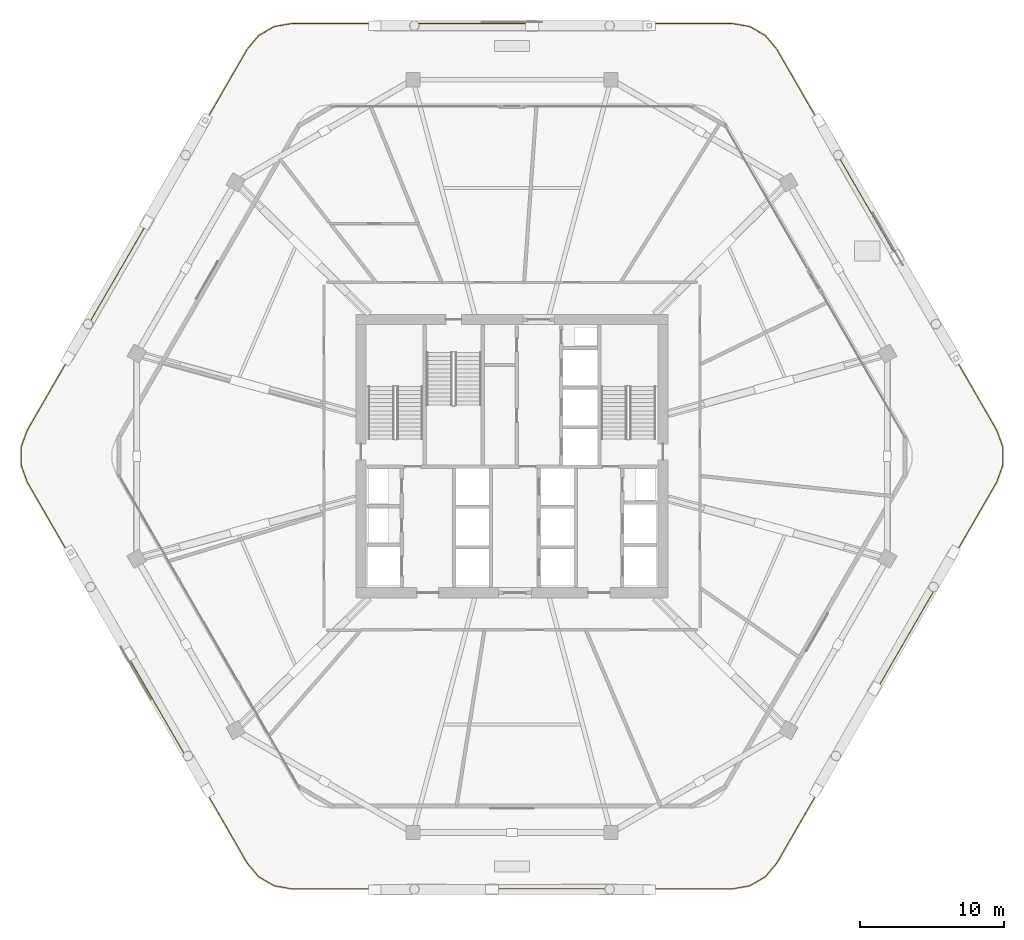
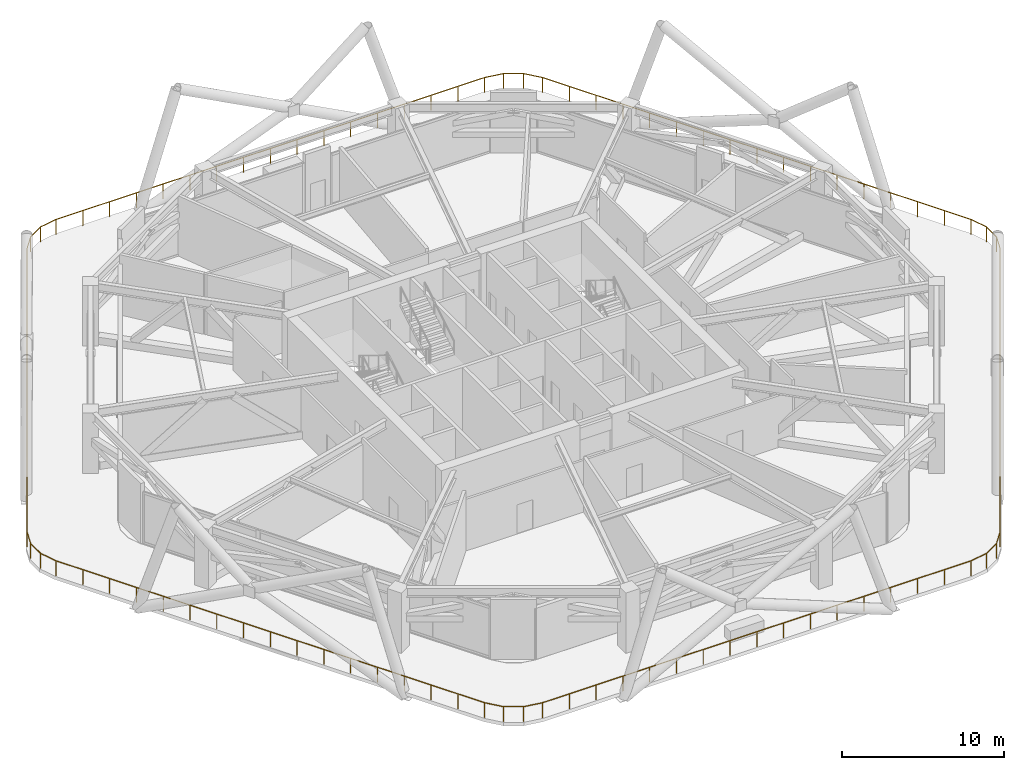
# One storey, part 17 of 20: 1 railing.
"""IFC4 building model written with IfcOpenShell, lengths in metres."""

import ifcopenshell
import ifcopenshell.guid

model = None  # the IFC model being written
_history = None  # IfcOwnerHistory: only IFC2X3 demands one
_inside = {}  # id of a spatial element -> (the spatial element, [elements in it])
_under = {}  # id of a project, library or spatial element -> (it, [spatial elements below it])
_declared = {}  # id of a project -> (the project, [libraries it declares])
_typed = {}  # id of a type object -> (the type object, [elements of that type])
_made_of = {}  # id of a material, layer set ... -> (it, [elements and type objects made of it])


def new_model(schema):
    """Start an empty IFC model of exactly this schema.

    Asked for "IFC4X3", IfcOpenShell would pick the latest addendum, in which some entities
    have other attributes; the version numbers below select the first issue.
    IFC2X3 requires an IfcOwnerHistory on every rooted entity: one is made here for all.
    """
    global model, _history
    if schema == "IFC4X3":
        model = ifcopenshell.file(schema_version=(4, 3, 0, 0))
    else:
        model = ifcopenshell.file(schema=schema)
    _inside.clear()
    _under.clear()
    _declared.clear()
    _typed.clear()
    _made_of.clear()
    _history = None
    if model.schema == "IFC2X3":
        org = make("IfcOrganization", Name="unknown")
        user = make(
            "IfcPersonAndOrganization",
            ThePerson=make("IfcPerson", FamilyName="unknown"),
            TheOrganization=org,
        )
        app = make(
            "IfcApplication",
            ApplicationDeveloper=org,
            Version="unknown",
            ApplicationFullName="unknown",
            ApplicationIdentifier="unknown",
        )
        _history = make(
            "IfcOwnerHistory",
            OwningUser=user,
            OwningApplication=app,
            ChangeAction="ADDED",
            CreationDate=0,
        )
    return model


def make(cls, **values):
    """One entity of the class cls with the attributes given. An attribute that is None is left unset."""
    return model.create_entity(
        cls, **{name: value for name, value in values.items() if value is not None}
    )


def rooted(cls, **values):
    """An entity with a GlobalId (a new one), such as an element, a storey or a relation."""
    return make(cls, GlobalId=ifcopenshell.guid.new(), OwnerHistory=_history, **values)


def si_unit(unit_type, name, prefix=None):
    """IfcSIUnit, for example si_unit("LENGTHUNIT", "METRE", prefix="MILLI")."""
    return make("IfcSIUnit", UnitType=unit_type, Prefix=prefix, Name=name)


def assignment(units):
    """IfcUnitAssignment: the units of a project."""
    return None if units is None else make("IfcUnitAssignment", Units=units)


def point(xyz):
    """IfcCartesianPoint."""
    return None if xyz is None else make("IfcCartesianPoint", Coordinates=xyz)


def direction(xyz):
    """IfcDirection."""
    return None if xyz is None else make("IfcDirection", DirectionRatios=xyz)


def frame(location, z_axis=None, x_axis=None):
    """IfcAxis2Placement3D, a coordinate frame: its origin and axes. An axis left out is left unset."""
    return make(
        "IfcAxis2Placement3D",
        Location=point(location),
        Axis=direction(z_axis),
        RefDirection=direction(x_axis),
    )


def frame_2d(location, x_axis=None):
    """IfcAxis2Placement2D, a coordinate frame in the plane: its origin and x axis."""
    return make(
        "IfcAxis2Placement2D", Location=point(location), RefDirection=direction(x_axis)
    )


def origin():
    """The frame at (0, 0, 0) with its axes left unset."""
    return frame((0.0, 0.0, 0.0))


def origin_2d():
    """The frame at (0, 0) in the plane with its x axis left unset."""
    return frame_2d((0.0, 0.0))


def place(relative_to, where):
    """IfcLocalPlacement: puts the frame where relative to a parent placement (None: the world)."""
    return make(
        "IfcLocalPlacement", PlacementRelTo=relative_to, RelativePlacement=where
    )


def context(
    kind, dimensions, precision=None, world=None, true_north=None, identifier=None
):
    """IfcGeometricRepresentationContext, for example the 3D "Model" context."""
    return make(
        "IfcGeometricRepresentationContext",
        ContextIdentifier=identifier,
        ContextType=kind,
        CoordinateSpaceDimension=dimensions,
        Precision=precision,
        WorldCoordinateSystem=world,
        TrueNorth=true_north,
    )


def subcontext(parent, identifier, kind, view, scale=None):
    """IfcGeometricRepresentationSubContext, for example "Body" below "Model"."""
    return make(
        "IfcGeometricRepresentationSubContext",
        ContextIdentifier=identifier,
        ContextType=kind,
        ParentContext=parent,
        TargetScale=scale,
        TargetView=view,
    )


def project(units=None, contexts=None):
    """IfcProject with its units and contexts."""
    return rooted(
        "IfcProject",
        Name="project",
        RepresentationContexts=contexts,
        UnitsInContext=assignment(units),
    )


def spatial(cls, under=None, at=None, **own):
    """A site, building, storey or space (cls), placed at a placement, below another one or the project."""
    s = rooted(cls, ObjectPlacement=at, **own)
    if under is not None:
        _under.setdefault(under.id(), (under, []))[1].append(s)
    return s


def profile(cls, at=None, kind="AREA", **sizes):
    """A parametric profile (cls). Its sizes go by their IFC names, for example OverallWidth=200.0."""
    return make(cls, ProfileType=kind, Position=at, **sizes)


def rectangle(**sizes):
    """IfcRectangleProfileDef."""
    return profile("IfcRectangleProfileDef", **sizes)


def extrude(swept, where, along, depth):
    """IfcExtrudedAreaSolid: the profile swept, set in the frame where, extruded along a direction by depth."""
    return make(
        "IfcExtrudedAreaSolid",
        SweptArea=swept,
        Position=where,
        ExtrudedDirection=direction(along),
        Depth=depth,
    )


def shape(context_of_items, identifier, shape_type, items):
    """IfcShapeRepresentation: the items that make up one representation, for example the "Body"."""
    return make(
        "IfcShapeRepresentation",
        ContextOfItems=context_of_items,
        RepresentationIdentifier=identifier,
        RepresentationType=shape_type,
        Items=items,
    )


def material(Name=None, Category=None):
    """IfcMaterial."""
    return make("IfcMaterial", Name=Name, Category=Category)


def made_of(thing, what):
    """Note that an element or type object is made of a material, layer set ...; save() writes the relation."""
    if what is not None:
        _made_of.setdefault(what.id(), (what, []))[1].append(thing)
    return thing


def type_object(cls, material=None, **own):
    """A type object (cls), such as IfcWallType, which elements share."""
    return made_of(rooted(cls, **own), material)


def element(
    cls,
    number,
    at=None,
    inside=None,
    cuts=None,
    type_object=None,
    material=None,
    context=None,
    identifier="Body",
    shape_type=None,
    held_by="IfcProductDefinitionShape",
    body=None,
    shapes=None,
    **own,
):
    """One element of the class cls, such as IfcWall. Its Tag is "e" and its number.

    at: its placement. inside: the storey or other place that contains it. cuts: it is an
    opening in that element (IfcRelVoidsElement). A single representation is given by context,
    identifier, shape_type and body (its items); several are given by shapes. held_by: the class
    of the entity that holds the representations. save() writes the other relations.
    """
    e = rooted(cls, Tag="e%d" % number, ObjectPlacement=at, **own)
    if body is not None:
        shapes = [shape(context, identifier, shape_type, body)]
    if shapes is not None:
        e.Representation = make(held_by, Representations=shapes)
    if inside is not None:
        _inside.setdefault(inside.id(), (inside, []))[1].append(e)
    if cuts is not None:
        rooted(
            "IfcRelVoidsElement", RelatingBuildingElement=cuts, RelatedOpeningElement=e
        )
    if type_object is not None:
        _typed.setdefault(type_object.id(), (type_object, []))[1].append(e)
    return made_of(e, material)


def aggregate(whole, parts):
    """IfcRelAggregates: a whole, such as a stair, and the parts it consists of."""
    return rooted("IfcRelAggregates", RelatingObject=whole, RelatedObjects=parts)


def save(model, path):
    """Write the relations noted so far, then the file.

    IfcRelAggregates (storeys below a building ...), IfcRelContainedInSpatialStructure (elements
    in a storey), IfcRelDefinesByType, IfcRelAssociatesMaterial and IfcRelDeclares: one each for
    every whole, place, type object, material and project.
    """
    for whole, parts in _under.values():
        aggregate(whole, parts)
    for where, things in _inside.values():
        rooted(
            "IfcRelContainedInSpatialStructure",
            RelatedElements=things,
            RelatingStructure=where,
        )
    for kind, things in _typed.values():
        rooted("IfcRelDefinesByType", RelatedObjects=things, RelatingType=kind)
    for what, things in _made_of.values():
        rooted("IfcRelAssociatesMaterial", RelatedObjects=things, RelatingMaterial=what)
    for by, libraries in _declared.values():
        rooted("IfcRelDeclares", RelatingContext=by, RelatedDefinitions=libraries)
    model.write(path)


model = new_model("IFC4")

# Units and contexts
model_context = context("Model", 3, precision=1e-05, world=origin(), true_north=direction((0.0, 1.0)))
body_context = subcontext(model_context, "Body", "Model", "MODEL_VIEW")
ifc_project = project(units=[si_unit("LENGTHUNIT", "METRE"), si_unit("AREAUNIT", "SQUARE_METRE"), si_unit("VOLUMEUNIT", "CUBIC_METRE"), si_unit("PLANEANGLEUNIT", "RADIAN"), si_unit("MASSUNIT", "GRAM", prefix="KILO")], contexts=[model_context])

# Site, building, storey
site_placement = place(None, origin())
site = spatial("IfcSite", under=ifc_project, at=site_placement, CompositionType="ELEMENT")
building_placement = place(site_placement, origin())
building = spatial("IfcBuilding", under=site, at=building_placement, Name="Zuhravey Tower", CompositionType="ELEMENT")
storey_placement = place(building_placement, frame((0.0, 0.0, 145.60009765625)))
storey = spatial("IfcBuildingStorey", under=building, at=storey_placement, Name="L36", CompositionType="ELEMENT", Elevation=145.60009765625)

# Railing
ifc_material = material(Name="Stainless steel 316 and laminated glass", Category="steel")
railing_type = type_object("IfcRailingType", Name="Balcony & Terrace Guardrail 1150", PredefinedType="BALUSTRADE", material=ifc_material)
railing_placement = place(storey_placement, frame((69.71435546875, 30.208984375, 0.0)))
element("IfcRailing", 1, at=railing_placement, inside=storey, type_object=railing_type, Name="L36 Sky-Garden Perimeter Guardrail GR1", PredefinedType="BALUSTRADE", context=body_context, shape_type="SweptSolid", body=[
    extrude(rectangle(XDim=0.048095703125, YDim=0.048095703125, at=origin_2d()), frame((-0.0009765625, -0.001708984375, 1.1259765625), z_axis=(-0.500000667642, -0.866025018321, 0.0), x_axis=(0.866025018321, -0.500000667642, 0.0)), (0.0, 0.0, 1.0), 30.608154296875),
    extrude(rectangle(XDim=0.048095703125, YDim=0.048095703125, at=origin_2d()), frame((-15.307373046875, -26.512451171875, 1.1259765625), z_axis=(-0.642608552999, -0.766194653866, 0.0), x_axis=(0.766194653866, -0.642608552999, 0.0)), (0.0, 0.0, 1.0), 1.242431640625),
    extrude(rectangle(XDim=0.048095703125, YDim=0.048095703125, at=origin_2d()), frame((-16.10888671875, -27.467041015625, 1.1259765625), z_axis=(-0.866077352444, -0.499910011486, 0.0), x_axis=(0.499910011486, -0.866077352444, 0.0)), (0.0, 0.0, 1.0), 1.235595703125),
    extrude(rectangle(XDim=0.048095703125, YDim=0.048095703125, at=origin_2d()), frame((-17.1826171875, -28.0859375, 1.1259765625), z_axis=(-0.984826908413, -0.173539506932, 0.0), x_axis=(0.173539506932, -0.984826908413, 0.0)), (0.0, 0.0, 1.0), 1.242431640625),
    extrude(rectangle(XDim=0.048095703125, YDim=0.048095703125, at=origin_2d()), frame((-18.41015625, -28.302001953125, 1.1259765625), z_axis=(-1.0, 0.0, 0.0), x_axis=(0.0, -1.0, 0.0)), (0.0, 0.0, 1.0), 30.6083984375),
    extrude(rectangle(XDim=0.048095703125, YDim=0.048095703125, at=origin_2d()), frame((-49.0224609375, -28.3017578125, 1.1259765625), z_axis=(-0.984826908413, 0.173539506932, 0.0), x_axis=(-0.173539506932, -0.984826908413, 0.0)), (0.0, 0.0, 1.0), 1.242431640625),
    extrude(rectangle(XDim=0.048095703125, YDim=0.048095703125, at=origin_2d()), frame((-50.249755859375, -28.084716796875, 1.1259765625), z_axis=(-0.866077352444, 0.499910011486, 0.0), x_axis=(-0.499910011486, -0.866077352444, 0.0)), (0.0, 0.0, 1.0), 1.235595703125),
    extrude(rectangle(XDim=0.048095703125, YDim=0.048095703125, at=origin_2d()), frame((-51.32275390625, -27.464599609375, 1.1259765625), z_axis=(-0.642608552999, 0.766194653866, 0.0), x_axis=(-0.766194653866, -0.642608552999, 0.0)), (0.0, 0.0, 1.0), 1.242431640625),
    extrude(rectangle(XDim=0.048095703125, YDim=0.048095703125, at=origin_2d()), frame((-52.12353515625, -26.50927734375, 1.1259765625), z_axis=(-0.500000667642, 0.866025018321, 0.0), x_axis=(-0.866025018321, -0.500000667642, 0.0)), (0.0, 0.0, 1.0), 30.608154296875),
    extrude(rectangle(XDim=0.048095703125, YDim=0.048095703125, at=origin_2d()), frame((-67.429443359375, 0.001953125, 1.1259765625), z_axis=(-0.342136146891, 0.939650390832, 0.0), x_axis=(-0.939650390832, -0.342136146891, 0.0)), (0.0, 0.0, 1.0), 1.24267578125),
    extrude(rectangle(XDim=0.048095703125, YDim=0.048095703125, at=origin_2d()), frame((-67.855224609375, 1.17333984375, 1.1259765625), z_axis=(0.0, 1.0, 0.0), x_axis=(-1.0, 0.0, 0.0)), (0.0, 0.0, 1.0), 1.2353515625),
    extrude(rectangle(XDim=0.048095703125, YDim=0.048095703125, at=origin_2d()), frame((-67.8544921875, 2.41259765625, 1.1259765625), z_axis=(0.342136146891, 0.939650390832, 0.0), x_axis=(-0.939650390832, 0.342136146891, 0.0)), (0.0, 0.0, 1.0), 1.24267578125),
    extrude(rectangle(XDim=0.048095703125, YDim=0.048095703125, at=origin_2d()), frame((-67.427734375, 3.583740234375, 1.1259765625), z_axis=(0.500000667642, 0.866025018321, 0.0), x_axis=(-0.866025018321, 0.500000667642, 0.0)), (0.0, 0.0, 1.0), 30.608154296875),
    extrude(rectangle(XDim=0.048095703125, YDim=0.048095703125, at=origin_2d()), frame((-52.121337890625, 30.094482421875, 1.1259765625), z_axis=(0.642608552999, 0.766194653866, 0.0), x_axis=(-0.766194653866, 0.642608552999, 0.0)), (0.0, 0.0, 1.0), 1.242431640625),
    extrude(rectangle(XDim=0.048095703125, YDim=0.048095703125, at=origin_2d()), frame((-51.31982421875, 31.049072265625, 1.1259765625), z_axis=(0.866077352444, 0.499910011486, 0.0), x_axis=(-0.499910011486, 0.866077352444, 0.0)), (0.0, 0.0, 1.0), 1.235595703125),
    extrude(rectangle(XDim=0.048095703125, YDim=0.048095703125, at=origin_2d()), frame((-50.24609375, 31.66796875, 1.1259765625), z_axis=(0.984826908413, 0.173539506932, 0.0), x_axis=(-0.173539506932, 0.984826908413, 0.0)), (0.0, 0.0, 1.0), 1.242431640625),
    extrude(rectangle(XDim=0.048095703125, YDim=0.048095703125, at=origin_2d()), frame((-49.0185546875, 31.884033203125, 1.1259765625), z_axis=(1.0, 0.0, 0.0), x_axis=(0.0, 1.0, 0.0)), (0.0, 0.0, 1.0), 30.6083984375),
    extrude(rectangle(XDim=0.048095703125, YDim=0.048095703125, at=origin_2d()), frame((-18.40625, 31.8837890625, 1.1259765625), z_axis=(0.984826908413, -0.173539506932, 0.0), x_axis=(0.173539506932, 0.984826908413, 0.0)), (0.0, 0.0, 1.0), 1.242431640625),
    extrude(rectangle(XDim=0.048095703125, YDim=0.048095703125, at=origin_2d()), frame((-17.178955078125, 31.666748046875, 1.1259765625), z_axis=(0.866077352444, -0.499910011486, 0.0), x_axis=(0.499910011486, 0.866077352444, 0.0)), (0.0, 0.0, 1.0), 1.235595703125),
    extrude(rectangle(XDim=0.048095703125, YDim=0.048095703125, at=origin_2d()), frame((-16.10595703125, 31.046630859375, 1.1259765625), z_axis=(0.642608552999, -0.766194653866, 0.0), x_axis=(0.766194653866, 0.642608552999, 0.0)), (0.0, 0.0, 1.0), 1.242431640625),
    extrude(rectangle(XDim=0.048095703125, YDim=0.048095703125, at=origin_2d()), frame((-15.30517578125, 30.09130859375, 1.1259765625), z_axis=(0.500000667642, -0.866025018321, 0.0), x_axis=(0.866025018321, 0.500000667642, 0.0)), (0.0, 0.0, 1.0), 30.608154296875),
    extrude(rectangle(XDim=0.048095703125, YDim=0.048095703125, at=origin_2d()), frame((0.000732421875, 3.580078125, 1.1259765625), z_axis=(0.342136146891, -0.939650390832, 0.0), x_axis=(0.939650390832, 0.342136146891, 0.0)), (0.0, 0.0, 1.0), 1.24267578125),
    extrude(rectangle(XDim=0.048095703125, YDim=0.048095703125, at=origin_2d()), frame((0.426513671875, 2.40869140625, 1.1259765625), z_axis=(0.0, -1.0, 0.0), x_axis=(1.0, 0.0, 0.0)), (0.0, 0.0, 1.0), 1.2353515625),
    extrude(rectangle(XDim=0.048095703125, YDim=0.048095703125, at=origin_2d()), frame((0.42578125, 1.16943359375, 1.1259765625), z_axis=(-0.342136146891, -0.939650390832, 0.0), x_axis=(0.939650390832, -0.342136146891, 0.0)), (0.0, 0.0, 1.0), 1.24267578125),
    extrude(rectangle(XDim=0.0419921875, YDim=0.0419921875, at=origin_2d()), origin(), (0.0, 0.0, 1.0), 1.099853515625),
    extrude(rectangle(XDim=0.0419921875, YDim=0.0419921875, at=origin_2d()), frame((-0.95654296875, -1.656982421875, 0.0)), (0.0, 0.0, 1.0), 1.099853515625),
    extrude(rectangle(XDim=0.0419921875, YDim=0.0419921875, at=origin_2d()), frame((-1.913330078125, -3.31396484375, 0.0)), (0.0, 0.0, 1.0), 1.099853515625),
    extrude(rectangle(XDim=0.0419921875, YDim=0.0419921875, at=origin_2d()), frame((-2.869873046875, -4.970703125, 0.0)), (0.0, 0.0, 1.0), 1.099853515625),
    extrude(rectangle(XDim=0.0419921875, YDim=0.0419921875, at=origin_2d()), frame((-3.82666015625, -6.627685546875, 0.0)), (0.0, 0.0, 1.0), 1.099853515625),
    extrude(rectangle(XDim=0.0419921875, YDim=0.0419921875, at=origin_2d()), frame((-4.783203125, -8.28466796875, 0.0)), (0.0, 0.0, 1.0), 1.099853515625),
    extrude(rectangle(XDim=0.0419921875, YDim=0.0419921875, at=origin_2d()), frame((-5.73974609375, -9.941650390625, 0.0)), (0.0, 0.0, 1.0), 1.099853515625),
    extrude(rectangle(XDim=0.0419921875, YDim=0.0419921875, at=origin_2d()), frame((-6.696533203125, -11.5986328125, 0.0)), (0.0, 0.0, 1.0), 1.099853515625),
    extrude(rectangle(XDim=0.0419921875, YDim=0.0419921875, at=origin_2d()), frame((-7.653076171875, -13.25537109375, 0.0)), (0.0, 0.0, 1.0), 1.099853515625),
    extrude(rectangle(XDim=0.0419921875, YDim=0.0419921875, at=origin_2d()), frame((-8.609619140625, -14.912353515625, 0.0)), (0.0, 0.0, 1.0), 1.099853515625),
    extrude(rectangle(XDim=0.0419921875, YDim=0.0419921875, at=origin_2d()), frame((-9.56640625, -16.5693359375, 0.0)), (0.0, 0.0, 1.0), 1.099853515625),
    extrude(rectangle(XDim=0.0419921875, YDim=0.0419921875, at=origin_2d()), frame((-10.52294921875, -18.226318359375, 0.0)), (0.0, 0.0, 1.0), 1.099853515625),
    extrude(rectangle(XDim=0.0419921875, YDim=0.0419921875, at=origin_2d()), frame((-11.4794921875, -19.88330078125, 0.0)), (0.0, 0.0, 1.0), 1.099853515625),
    extrude(rectangle(XDim=0.0419921875, YDim=0.0419921875, at=origin_2d()), frame((-12.436279296875, -21.540283203125, 0.0)), (0.0, 0.0, 1.0), 1.099853515625),
    extrude(rectangle(XDim=0.0419921875, YDim=0.0419921875, at=origin_2d()), frame((-13.392822265625, -23.197021484375, 0.0)), (0.0, 0.0, 1.0), 1.099853515625),
    extrude(rectangle(XDim=0.0419921875, YDim=0.0419921875, at=origin_2d()), frame((-14.349609375, -24.85400390625, 0.0)), (0.0, 0.0, 1.0), 1.099853515625),
    extrude(rectangle(XDim=0.0419921875, YDim=0.0419921875, at=origin_2d()), frame((-15.30615234375, -26.510986328125, 0.0)), (0.0, 0.0, 1.0), 1.099853515625),
    extrude(rectangle(XDim=0.0419921875, YDim=0.0419921875, at=origin_2d()), frame((-16.107177734375, -27.466064453125, 0.0)), (0.0, 0.0, 1.0), 1.099853515625),
    extrude(rectangle(XDim=0.0419921875, YDim=0.0419921875, at=origin_2d()), frame((-17.1806640625, -28.085693359375, 0.0)), (0.0, 0.0, 1.0), 1.099853515625),
    extrude(rectangle(XDim=0.0419921875, YDim=0.0419921875, at=origin_2d()), frame((-18.408203125, -28.302001953125, 0.0)), (0.0, 0.0, 1.0), 1.099853515625),
    extrude(rectangle(XDim=0.0419921875, YDim=0.0419921875, at=origin_2d()), frame((-20.321533203125, -28.302001953125, 0.0)), (0.0, 0.0, 1.0), 1.099853515625),
    extrude(rectangle(XDim=0.0419921875, YDim=0.0419921875, at=origin_2d()), frame((-22.23486328125, -28.302001953125, 0.0)), (0.0, 0.0, 1.0), 1.099853515625),
    extrude(rectangle(XDim=0.0419921875, YDim=0.0419921875, at=origin_2d()), frame((-24.14794921875, -28.302001953125, 0.0)), (0.0, 0.0, 1.0), 1.099853515625),
    extrude(rectangle(XDim=0.0419921875, YDim=0.0419921875, at=origin_2d()), frame((-26.061279296875, -28.302001953125, 0.0)), (0.0, 0.0, 1.0), 1.099853515625),
    extrude(rectangle(XDim=0.0419921875, YDim=0.0419921875, at=origin_2d()), frame((-27.974609375, -28.302001953125, 0.0)), (0.0, 0.0, 1.0), 1.099853515625),
    extrude(rectangle(XDim=0.0419921875, YDim=0.0419921875, at=origin_2d()), frame((-29.8876953125, -28.302001953125, 0.0)), (0.0, 0.0, 1.0), 1.099853515625),
    extrude(rectangle(XDim=0.0419921875, YDim=0.0419921875, at=origin_2d()), frame((-31.801025390625, -28.302001953125, 0.0)), (0.0, 0.0, 1.0), 1.099853515625),
    extrude(rectangle(XDim=0.0419921875, YDim=0.0419921875, at=origin_2d()), frame((-33.71435546875, -28.302001953125, 0.0)), (0.0, 0.0, 1.0), 1.099853515625),
    extrude(rectangle(XDim=0.0419921875, YDim=0.0419921875, at=origin_2d()), frame((-35.627685546875, -28.302001953125, 0.0)), (0.0, 0.0, 1.0), 1.099853515625),
    extrude(rectangle(XDim=0.0419921875, YDim=0.0419921875, at=origin_2d()), frame((-37.541015625, -28.302001953125, 0.0)), (0.0, 0.0, 1.0), 1.099853515625),
    extrude(rectangle(XDim=0.0419921875, YDim=0.0419921875, at=origin_2d()), frame((-39.4541015625, -28.302001953125, 0.0)), (0.0, 0.0, 1.0), 1.099853515625),
    extrude(rectangle(XDim=0.0419921875, YDim=0.0419921875, at=origin_2d()), frame((-41.367431640625, -28.302001953125, 0.0)), (0.0, 0.0, 1.0), 1.099853515625),
    extrude(rectangle(XDim=0.0419921875, YDim=0.0419921875, at=origin_2d()), frame((-43.28076171875, -28.302001953125, 0.0)), (0.0, 0.0, 1.0), 1.099853515625),
    extrude(rectangle(XDim=0.0419921875, YDim=0.0419921875, at=origin_2d()), frame((-45.19384765625, -28.302001953125, 0.0)), (0.0, 0.0, 1.0), 1.099853515625),
    extrude(rectangle(XDim=0.0419921875, YDim=0.0419921875, at=origin_2d()), frame((-47.107177734375, -28.302001953125, 0.0)), (0.0, 0.0, 1.0), 1.099853515625),
    extrude(rectangle(XDim=0.0419921875, YDim=0.0419921875, at=origin_2d()), frame((-49.0205078125, -28.302001953125, 0.0)), (0.0, 0.0, 1.0), 1.099853515625),
    extrude(rectangle(XDim=0.0419921875, YDim=0.0419921875, at=origin_2d()), frame((-50.248046875, -28.085693359375, 0.0)), (0.0, 0.0, 1.0), 1.099853515625),
    extrude(rectangle(XDim=0.0419921875, YDim=0.0419921875, at=origin_2d()), frame((-51.321533203125, -27.466064453125, 0.0)), (0.0, 0.0, 1.0), 1.099853515625),
    extrude(rectangle(XDim=0.0419921875, YDim=0.0419921875, at=origin_2d()), frame((-52.12255859375, -26.510986328125, 0.0)), (0.0, 0.0, 1.0), 1.099853515625),
    extrude(rectangle(XDim=0.0419921875, YDim=0.0419921875, at=origin_2d()), frame((-53.0791015625, -24.85400390625, 0.0)), (0.0, 0.0, 1.0), 1.099853515625),
    extrude(rectangle(XDim=0.0419921875, YDim=0.0419921875, at=origin_2d()), frame((-54.035888671875, -23.197021484375, 0.0)), (0.0, 0.0, 1.0), 1.099853515625),
    extrude(rectangle(XDim=0.0419921875, YDim=0.0419921875, at=origin_2d()), frame((-54.992431640625, -21.540283203125, 0.0)), (0.0, 0.0, 1.0), 1.099853515625),
    extrude(rectangle(XDim=0.0419921875, YDim=0.0419921875, at=origin_2d()), frame((-55.94921875, -19.88330078125, 0.0)), (0.0, 0.0, 1.0), 1.099853515625),
    extrude(rectangle(XDim=0.0419921875, YDim=0.0419921875, at=origin_2d()), frame((-56.90576171875, -18.226318359375, 0.0)), (0.0, 0.0, 1.0), 1.099853515625),
    extrude(rectangle(XDim=0.0419921875, YDim=0.0419921875, at=origin_2d()), frame((-57.8623046875, -16.5693359375, 0.0)), (0.0, 0.0, 1.0), 1.099853515625),
    extrude(rectangle(XDim=0.0419921875, YDim=0.0419921875, at=origin_2d()), frame((-58.819091796875, -14.912353515625, 0.0)), (0.0, 0.0, 1.0), 1.099853515625),
    extrude(rectangle(XDim=0.0419921875, YDim=0.0419921875, at=origin_2d()), frame((-59.775634765625, -13.25537109375, 0.0)), (0.0, 0.0, 1.0), 1.099853515625),
    extrude(rectangle(XDim=0.0419921875, YDim=0.0419921875, at=origin_2d()), frame((-60.732177734375, -11.5986328125, 0.0)), (0.0, 0.0, 1.0), 1.099853515625),
    extrude(rectangle(XDim=0.0419921875, YDim=0.0419921875, at=origin_2d()), frame((-61.68896484375, -9.941650390625, 0.0)), (0.0, 0.0, 1.0), 1.099853515625),
    extrude(rectangle(XDim=0.0419921875, YDim=0.0419921875, at=origin_2d()), frame((-62.6455078125, -8.28466796875, 0.0)), (0.0, 0.0, 1.0), 1.099853515625),
    extrude(rectangle(XDim=0.0419921875, YDim=0.0419921875, at=origin_2d()), frame((-63.60205078125, -6.627685546875, 0.0)), (0.0, 0.0, 1.0), 1.099853515625),
    extrude(rectangle(XDim=0.0419921875, YDim=0.0419921875, at=origin_2d()), frame((-64.558837890625, -4.970703125, 0.0)), (0.0, 0.0, 1.0), 1.099853515625),
    extrude(rectangle(XDim=0.0419921875, YDim=0.0419921875, at=origin_2d()), frame((-65.515380859375, -3.31396484375, 0.0)), (0.0, 0.0, 1.0), 1.099853515625),
    extrude(rectangle(XDim=0.0419921875, YDim=0.0419921875, at=origin_2d()), frame((-66.47216796875, -1.656982421875, 0.0)), (0.0, 0.0, 1.0), 1.099853515625),
    extrude(rectangle(XDim=0.0419921875, YDim=0.0419921875, at=origin_2d()), frame((-67.4287109375, 0.0, 0.0)), (0.0, 0.0, 1.0), 1.099853515625),
    extrude(rectangle(XDim=0.0419921875, YDim=0.0419921875, at=origin_2d()), frame((-67.855224609375, 1.17138671875, 0.0)), (0.0, 0.0, 1.0), 1.099853515625),
    extrude(rectangle(XDim=0.0419921875, YDim=0.0419921875, at=origin_2d()), frame((-67.855224609375, 2.41064453125, 0.0)), (0.0, 0.0, 1.0), 1.099853515625),
    extrude(rectangle(XDim=0.0419921875, YDim=0.0419921875, at=origin_2d()), frame((-67.4287109375, 3.58203125, 0.0)), (0.0, 0.0, 1.0), 1.099853515625),
    extrude(rectangle(XDim=0.0419921875, YDim=0.0419921875, at=origin_2d()), frame((-66.47216796875, 5.239013671875, 0.0)), (0.0, 0.0, 1.0), 1.099853515625),
    extrude(rectangle(XDim=0.0419921875, YDim=0.0419921875, at=origin_2d()), frame((-65.515380859375, 6.89599609375, 0.0)), (0.0, 0.0, 1.0), 1.099853515625),
    extrude(rectangle(XDim=0.0419921875, YDim=0.0419921875, at=origin_2d()), frame((-64.558837890625, 8.552734375, 0.0)), (0.0, 0.0, 1.0), 1.099853515625),
    extrude(rectangle(XDim=0.0419921875, YDim=0.0419921875, at=origin_2d()), frame((-63.60205078125, 10.209716796875, 0.0)), (0.0, 0.0, 1.0), 1.099853515625),
    extrude(rectangle(XDim=0.0419921875, YDim=0.0419921875, at=origin_2d()), frame((-62.6455078125, 11.86669921875, 0.0)), (0.0, 0.0, 1.0), 1.099853515625),
    extrude(rectangle(XDim=0.0419921875, YDim=0.0419921875, at=origin_2d()), frame((-61.68896484375, 13.523681640625, 0.0)), (0.0, 0.0, 1.0), 1.099853515625),
    extrude(rectangle(XDim=0.0419921875, YDim=0.0419921875, at=origin_2d()), frame((-60.732177734375, 15.1806640625, 0.0)), (0.0, 0.0, 1.0), 1.099853515625),
    extrude(rectangle(XDim=0.0419921875, YDim=0.0419921875, at=origin_2d()), frame((-59.775634765625, 16.83740234375, 0.0)), (0.0, 0.0, 1.0), 1.099853515625),
    extrude(rectangle(XDim=0.0419921875, YDim=0.0419921875, at=origin_2d()), frame((-58.819091796875, 18.494384765625, 0.0)), (0.0, 0.0, 1.0), 1.099853515625),
    extrude(rectangle(XDim=0.0419921875, YDim=0.0419921875, at=origin_2d()), frame((-57.8623046875, 20.1513671875, 0.0)), (0.0, 0.0, 1.0), 1.099853515625),
    extrude(rectangle(XDim=0.0419921875, YDim=0.0419921875, at=origin_2d()), frame((-56.90576171875, 21.808349609375, 0.0)), (0.0, 0.0, 1.0), 1.099853515625),
    extrude(rectangle(XDim=0.0419921875, YDim=0.0419921875, at=origin_2d()), frame((-55.94921875, 23.46533203125, 0.0)), (0.0, 0.0, 1.0), 1.099853515625),
    extrude(rectangle(XDim=0.0419921875, YDim=0.0419921875, at=origin_2d()), frame((-54.992431640625, 25.122314453125, 0.0)), (0.0, 0.0, 1.0), 1.099853515625),
    extrude(rectangle(XDim=0.0419921875, YDim=0.0419921875, at=origin_2d()), frame((-54.035888671875, 26.779052734375, 0.0)), (0.0, 0.0, 1.0), 1.099853515625),
    extrude(rectangle(XDim=0.0419921875, YDim=0.0419921875, at=origin_2d()), frame((-53.0791015625, 28.43603515625, 0.0)), (0.0, 0.0, 1.0), 1.099853515625),
    extrude(rectangle(XDim=0.0419921875, YDim=0.0419921875, at=origin_2d()), frame((-52.12255859375, 30.093017578125, 0.0)), (0.0, 0.0, 1.0), 1.099853515625),
    extrude(rectangle(XDim=0.0419921875, YDim=0.0419921875, at=origin_2d()), frame((-51.321533203125, 31.048095703125, 0.0)), (0.0, 0.0, 1.0), 1.099853515625),
    extrude(rectangle(XDim=0.0419921875, YDim=0.0419921875, at=origin_2d()), frame((-50.248046875, 31.667724609375, 0.0)), (0.0, 0.0, 1.0), 1.099853515625),
    extrude(rectangle(XDim=0.0419921875, YDim=0.0419921875, at=origin_2d()), frame((-49.0205078125, 31.884033203125, 0.0)), (0.0, 0.0, 1.0), 1.099853515625),
    extrude(rectangle(XDim=0.0419921875, YDim=0.0419921875, at=origin_2d()), frame((-47.107177734375, 31.884033203125, 0.0)), (0.0, 0.0, 1.0), 1.099853515625),
    extrude(rectangle(XDim=0.0419921875, YDim=0.0419921875, at=origin_2d()), frame((-45.19384765625, 31.884033203125, 0.0)), (0.0, 0.0, 1.0), 1.099853515625),
    extrude(rectangle(XDim=0.0419921875, YDim=0.0419921875, at=origin_2d()), frame((-43.28076171875, 31.884033203125, 0.0)), (0.0, 0.0, 1.0), 1.099853515625),
    extrude(rectangle(XDim=0.0419921875, YDim=0.0419921875, at=origin_2d()), frame((-41.367431640625, 31.884033203125, 0.0)), (0.0, 0.0, 1.0), 1.099853515625),
    extrude(rectangle(XDim=0.0419921875, YDim=0.0419921875, at=origin_2d()), frame((-39.4541015625, 31.884033203125, 0.0)), (0.0, 0.0, 1.0), 1.099853515625),
    extrude(rectangle(XDim=0.0419921875, YDim=0.0419921875, at=origin_2d()), frame((-37.541015625, 31.884033203125, 0.0)), (0.0, 0.0, 1.0), 1.099853515625),
    extrude(rectangle(XDim=0.0419921875, YDim=0.0419921875, at=origin_2d()), frame((-35.627685546875, 31.884033203125, 0.0)), (0.0, 0.0, 1.0), 1.099853515625),
    extrude(rectangle(XDim=0.0419921875, YDim=0.0419921875, at=origin_2d()), frame((-33.71435546875, 31.884033203125, 0.0)), (0.0, 0.0, 1.0), 1.099853515625),
    extrude(rectangle(XDim=0.0419921875, YDim=0.0419921875, at=origin_2d()), frame((-31.801025390625, 31.884033203125, 0.0)), (0.0, 0.0, 1.0), 1.099853515625),
    extrude(rectangle(XDim=0.0419921875, YDim=0.0419921875, at=origin_2d()), frame((-29.8876953125, 31.884033203125, 0.0)), (0.0, 0.0, 1.0), 1.099853515625),
    extrude(rectangle(XDim=0.0419921875, YDim=0.0419921875, at=origin_2d()), frame((-27.974609375, 31.884033203125, 0.0)), (0.0, 0.0, 1.0), 1.099853515625),
    extrude(rectangle(XDim=0.0419921875, YDim=0.0419921875, at=origin_2d()), frame((-26.061279296875, 31.884033203125, 0.0)), (0.0, 0.0, 1.0), 1.099853515625),
    extrude(rectangle(XDim=0.0419921875, YDim=0.0419921875, at=origin_2d()), frame((-24.14794921875, 31.884033203125, 0.0)), (0.0, 0.0, 1.0), 1.099853515625),
    extrude(rectangle(XDim=0.0419921875, YDim=0.0419921875, at=origin_2d()), frame((-22.23486328125, 31.884033203125, 0.0)), (0.0, 0.0, 1.0), 1.099853515625),
    extrude(rectangle(XDim=0.0419921875, YDim=0.0419921875, at=origin_2d()), frame((-20.321533203125, 31.884033203125, 0.0)), (0.0, 0.0, 1.0), 1.099853515625),
    extrude(rectangle(XDim=0.0419921875, YDim=0.0419921875, at=origin_2d()), frame((-18.408203125, 31.884033203125, 0.0)), (0.0, 0.0, 1.0), 1.099853515625),
    extrude(rectangle(XDim=0.0419921875, YDim=0.0419921875, at=origin_2d()), frame((-17.1806640625, 31.667724609375, 0.0)), (0.0, 0.0, 1.0), 1.099853515625),
    extrude(rectangle(XDim=0.0419921875, YDim=0.0419921875, at=origin_2d()), frame((-16.107177734375, 31.048095703125, 0.0)), (0.0, 0.0, 1.0), 1.099853515625),
    extrude(rectangle(XDim=0.0419921875, YDim=0.0419921875, at=origin_2d()), frame((-15.30615234375, 30.093017578125, 0.0)), (0.0, 0.0, 1.0), 1.099853515625),
    extrude(rectangle(XDim=0.0419921875, YDim=0.0419921875, at=origin_2d()), frame((-14.349609375, 28.43603515625, 0.0)), (0.0, 0.0, 1.0), 1.099853515625),
    extrude(rectangle(XDim=0.0419921875, YDim=0.0419921875, at=origin_2d()), frame((-13.392822265625, 26.779052734375, 0.0)), (0.0, 0.0, 1.0), 1.099853515625),
    extrude(rectangle(XDim=0.0419921875, YDim=0.0419921875, at=origin_2d()), frame((-12.436279296875, 25.122314453125, 0.0)), (0.0, 0.0, 1.0), 1.099853515625),
    extrude(rectangle(XDim=0.0419921875, YDim=0.0419921875, at=origin_2d()), frame((-11.4794921875, 23.46533203125, 0.0)), (0.0, 0.0, 1.0), 1.099853515625),
    extrude(rectangle(XDim=0.0419921875, YDim=0.0419921875, at=origin_2d()), frame((-10.52294921875, 21.808349609375, 0.0)), (0.0, 0.0, 1.0), 1.099853515625),
    extrude(rectangle(XDim=0.0419921875, YDim=0.0419921875, at=origin_2d()), frame((-9.56640625, 20.1513671875, 0.0)), (0.0, 0.0, 1.0), 1.099853515625),
    extrude(rectangle(XDim=0.0419921875, YDim=0.0419921875, at=origin_2d()), frame((-8.609619140625, 18.494384765625, 0.0)), (0.0, 0.0, 1.0), 1.099853515625),
    extrude(rectangle(XDim=0.0419921875, YDim=0.0419921875, at=origin_2d()), frame((-7.653076171875, 16.83740234375, 0.0)), (0.0, 0.0, 1.0), 1.099853515625),
    extrude(rectangle(XDim=0.0419921875, YDim=0.0419921875, at=origin_2d()), frame((-6.696533203125, 15.1806640625, 0.0)), (0.0, 0.0, 1.0), 1.099853515625),
    extrude(rectangle(XDim=0.0419921875, YDim=0.0419921875, at=origin_2d()), frame((-5.73974609375, 13.523681640625, 0.0)), (0.0, 0.0, 1.0), 1.099853515625),
    extrude(rectangle(XDim=0.0419921875, YDim=0.0419921875, at=origin_2d()), frame((-4.783203125, 11.86669921875, 0.0)), (0.0, 0.0, 1.0), 1.099853515625),
    extrude(rectangle(XDim=0.0419921875, YDim=0.0419921875, at=origin_2d()), frame((-3.82666015625, 10.209716796875, 0.0)), (0.0, 0.0, 1.0), 1.099853515625),
    extrude(rectangle(XDim=0.0419921875, YDim=0.0419921875, at=origin_2d()), frame((-2.869873046875, 8.552734375, 0.0)), (0.0, 0.0, 1.0), 1.099853515625),
    extrude(rectangle(XDim=0.0419921875, YDim=0.0419921875, at=origin_2d()), frame((-1.913330078125, 6.89599609375, 0.0)), (0.0, 0.0, 1.0), 1.099853515625),
    extrude(rectangle(XDim=0.0419921875, YDim=0.0419921875, at=origin_2d()), frame((-0.95654296875, 5.239013671875, 0.0)), (0.0, 0.0, 1.0), 1.099853515625),
    extrude(rectangle(XDim=0.0419921875, YDim=0.0419921875, at=origin_2d()), frame((0.0, 3.58203125, 0.0)), (0.0, 0.0, 1.0), 1.099853515625),
    extrude(rectangle(XDim=0.0419921875, YDim=0.0419921875, at=origin_2d()), frame((0.426513671875, 2.41064453125, 0.0)), (0.0, 0.0, 1.0), 1.099853515625),
    extrude(rectangle(XDim=0.0419921875, YDim=0.0419921875, at=origin_2d()), frame((0.426513671875, 1.17138671875, 0.0)), (0.0, 0.0, 1.0), 1.099853515625),
])

save(model, "model.ifc")
